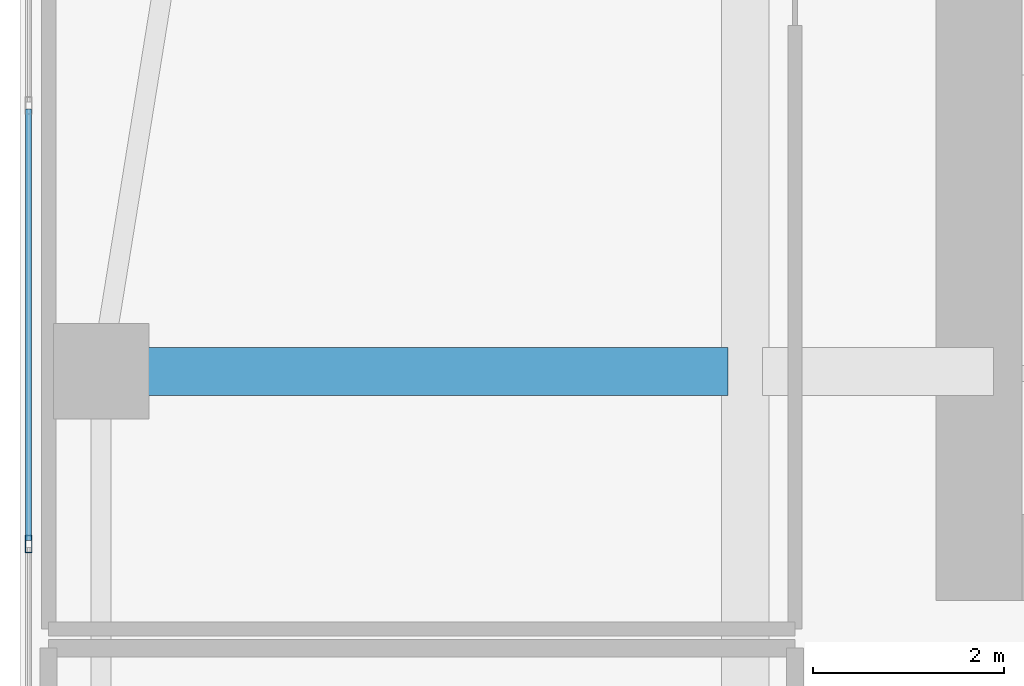
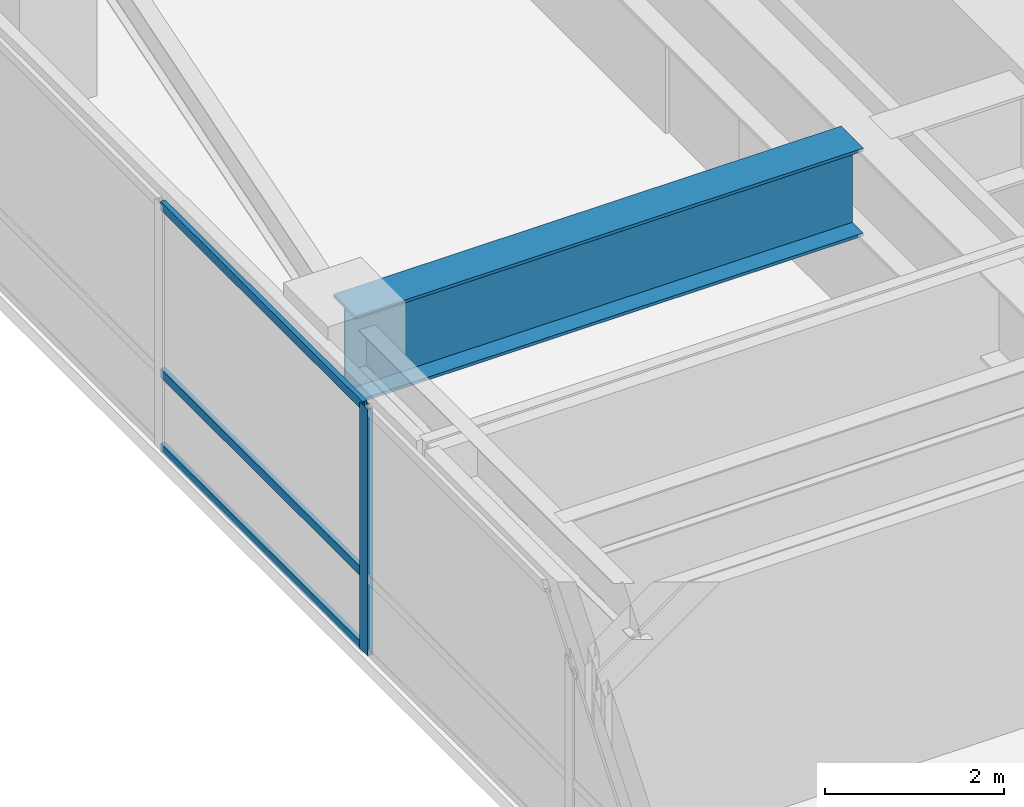
# One storey, part 20 of 37: 4 members, 1 beam, 1 element without a shape of its own.
"""IFC4 building model written with IfcOpenShell, lengths in metres."""

from ifc_helpers import new_model, si_unit, direction, frame, origin, origin_2d, place, context, subcontext, project, spatial, hollow_rectangle, i_section, extrude, source, transform, mapped, material, layer, layer_set, material_profile, profile_set, type_object, type_shapes, element, aggregate, save


model = new_model("IFC4")

# Units and contexts
model_context = context("Model", 3, precision=1e-05, world=origin(), true_north=direction((0.0, 1.0)))
body_context = subcontext(model_context, "Body", "Model", "MODEL_VIEW")
ifc_project = project(units=[si_unit("LENGTHUNIT", "METRE"), si_unit("AREAUNIT", "SQUARE_METRE"), si_unit("VOLUMEUNIT", "CUBIC_METRE"), si_unit("PLANEANGLEUNIT", "RADIAN"), si_unit("MASSUNIT", "GRAM", prefix="KILO")], contexts=[model_context])

# Site, building, storey
site_placement = place(None, origin())
site = spatial("IfcSite", under=ifc_project, at=site_placement, CompositionType="ELEMENT")
building_placement = place(site_placement, origin())
building = spatial("IfcBuilding", under=site, at=building_placement, Name="Tolvann Quenvar Hotel", CompositionType="ELEMENT")
storey_placement = place(building_placement, frame((0.0, 0.0, 53.300048828125)))
storey = spatial("IfcBuildingStorey", under=building, at=storey_placement, Name="L12", CompositionType="ELEMENT", Elevation=53.300048828125)

# Beam
ifc_material_1 = material(Name="Steel Grade 350", Category="steel")
ifc_material_profile_1 = material_profile(ifc_material_1, i_section(OverallWidth=0.5, OverallDepth=1.199951171875, WebThickness=0.01611328125, FlangeThickness=0.0400390625, at=origin_2d()), Name="1200WB455")
ifc_profile_set_1 = profile_set([ifc_material_profile_1], Name="Steel Grade 350")
beam_type = type_object("IfcBeamType", Name="BM_TG_1200WB455", PredefinedType="USERDEFINED", material=ifc_profile_set_1)
shared_shape_1 = source(origin(), body_context, "Body", "SweptSolid", [
    extrude(i_section(OverallWidth=0.5, OverallDepth=1.199951171875, WebThickness=0.01611328125, FlangeThickness=0.0400390625, at=origin_2d()), origin(), (0.0, 0.0, 1.0), 6.56982421875),
])
type_shapes(beam_type, [shared_shape_1])
beam_placement = place(storey_placement, frame((0.85009765625, 34.0, 2.77001953125), z_axis=(1.0, 0.0, 0.0), x_axis=(0.0, 1.0, 0.0)))
element("IfcBeam", 1, at=beam_placement, inside=storey, type_object=beam_type, Name="BM-L12-CTW-MID1", ObjectType="TRANSFER GIRDER", PredefinedType="USERDEFINED", context=body_context, shape_type="MappedRepresentation", body=[
    mapped(shared_shape_1, transform((0.0, 0.0, 0.0), x_axis=(1.0, 0.0, 0.0), y_axis=(0.0, 1.0, 0.0), z_axis=(0.0, 0.0, 1.0), scale=1.0)),
])

# Curtain wall, members
ifc_material_2 = material(Name="Thermally broken anodised architectural aluminium 6063-T6 and laminated low-E glass", Category="aluminium")
ifc_layer = layer(ifc_material_2, 0.179931640625)
ifc_layer_set = layer_set([ifc_layer], Name="Thermally broken anodised architectural aluminium 6063-T6 and laminated low-E glass")
curtain_wall_type = type_object("IfcCurtainWallType", Name="CW_SYS_BAND_04", PredefinedType="USERDEFINED", material=ifc_layer_set)
curtain_wall_placement = place(storey_placement, origin())
curtain_wall = element("IfcCurtainWall", 2, at=curtain_wall_placement, inside=storey, type_object=curtain_wall_type, Name="Curtain Wall CW-BAND-04 (CWR-L12-E23)", ObjectType="UNITISED CURTAIN WALL", PredefinedType="USERDEFINED")
ifc_material_3 = material(Name="Anodised architectural aluminium 6063-T6 framing", Category="aluminium")
ifc_material_profile_2 = material_profile(ifc_material_3, hollow_rectangle(XDim=0.070068359375, YDim=0.179931640625, WallThickness=0.00390625, at=origin_2d()), Name="180x70x4RHS")
ifc_profile_set_2 = profile_set([ifc_material_profile_2], Name="Anodised architectural aluminium 6063-T6 framing")
member_type_1 = type_object("IfcMemberType", Name="CW_MULL_180x70", PredefinedType="MULLION", material=ifc_profile_set_2)
shared_shape_2 = source(origin(), body_context, "Body", "SweptSolid", [
    extrude(hollow_rectangle(XDim=0.070068359375, YDim=0.179931640625, WallThickness=0.00390625, at=origin_2d()), origin(), (0.0, 0.0, 1.0), 3.369873046875),
])
type_shapes(member_type_1, [shared_shape_2])
member_1_placement = place(storey_placement, frame((0.090087890625, 32.19140625, 0.0), z_axis=(0.0, 0.0, 1.0), x_axis=(1.0, 0.0, 0.0)))
member_1 = element("IfcMember", 3, at=member_1_placement, type_object=member_type_1, Name="CW-BAND-04 mullion 3", PredefinedType="MULLION", context=body_context, shape_type="MappedRepresentation", body=[
    mapped(shared_shape_2, transform((0.0, 0.0, 0.0), x_axis=(1.0, 0.0, 0.0), y_axis=(0.0, 1.0, 0.0), z_axis=(0.0, 0.0, 1.0), scale=1.0)),
])
ifc_material_profile_3 = material_profile(ifc_material_3, hollow_rectangle(XDim=0.06005859375, YDim=0.1201171875, WallThickness=0.00341796875, at=origin_2d()), Name="120x60x3.5RHS")
ifc_profile_set_3 = profile_set([ifc_material_profile_3], Name="Anodised architectural aluminium 6063-T6 framing")
member_type_2 = type_object("IfcMemberType", Name="CW_TRAN_120x60", PredefinedType="USERDEFINED", material=ifc_profile_set_3)
shared_shape_3 = source(origin(), body_context, "Body", "SweptSolid", [
    extrude(hollow_rectangle(XDim=0.06005859375, YDim=0.1201171875, WallThickness=0.00341796875, at=origin_2d()), origin(), (0.0, 0.0, 1.0), 4.52587890625),
])
type_shapes(member_type_2, [shared_shape_3])
member_2_placement = place(storey_placement, frame((0.090087890625, 36.752197265625, 0.030029296875), z_axis=(0.0, -1.0, 0.0), x_axis=(1.0, 0.0, 0.0)))
member_2 = element("IfcMember", 4, at=member_2_placement, type_object=member_type_2, Name="CW-BAND-04 transom 2.1", ObjectType="TRANSOM", PredefinedType="USERDEFINED", context=body_context, shape_type="MappedRepresentation", body=[
    mapped(shared_shape_3, transform((0.0, 0.0, 0.0), x_axis=(1.0, 0.0, 0.0), y_axis=(0.0, 1.0, 0.0), z_axis=(0.0, 0.0, 1.0), scale=1.0)),
])
member_3_placement = place(storey_placement, frame((0.090087890625, 36.752197265625, 1.050048828125), z_axis=(0.0, -1.0, 0.0), x_axis=(1.0, 0.0, 0.0)))
member_3 = element("IfcMember", 5, at=member_3_placement, type_object=member_type_2, Name="CW-BAND-04 transom 2.2", ObjectType="TRANSOM", PredefinedType="USERDEFINED", context=body_context, shape_type="MappedRepresentation", body=[
    mapped(shared_shape_3, transform((0.0, 0.0, 0.0), x_axis=(1.0, 0.0, 0.0), y_axis=(0.0, 1.0, 0.0), z_axis=(0.0, 0.0, 1.0), scale=1.0)),
])
member_4_placement = place(storey_placement, frame((0.090087890625, 36.752197265625, 3.33984375), z_axis=(0.0, -1.0, 0.0), x_axis=(1.0, 0.0, 0.0)))
member_4 = element("IfcMember", 6, at=member_4_placement, type_object=member_type_2, Name="CW-BAND-04 transom 2.3", ObjectType="TRANSOM", PredefinedType="USERDEFINED", context=body_context, shape_type="MappedRepresentation", body=[
    mapped(shared_shape_3, transform((0.0, 0.0, 0.0), x_axis=(1.0, 0.0, 0.0), y_axis=(0.0, 1.0, 0.0), z_axis=(0.0, 0.0, 1.0), scale=1.0)),
])
aggregate(curtain_wall, [member_1, member_2, member_3, member_4])

save(model, "model.ifc")
